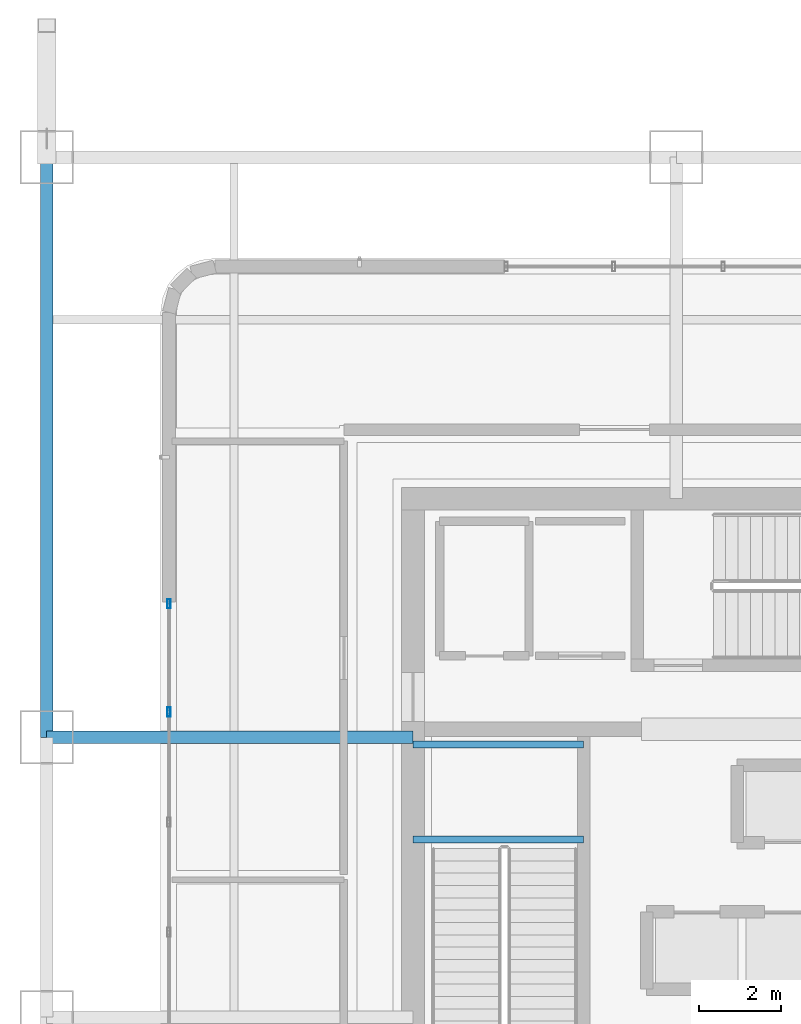
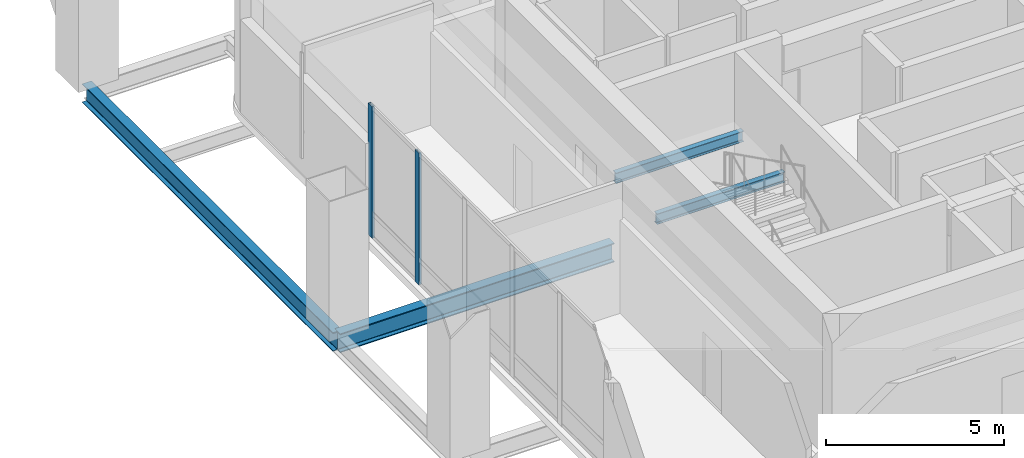
# One storey, part 10 of 33: 4 beams, 2 members, 1 element without a shape of its own.
"""IFC4 building model written with IfcOpenShell, lengths in metres."""

from ifc_helpers import new_model, si_unit, direction, frame, origin, origin_2d, place, context, subcontext, project, spatial, hollow_rectangle, i_section, extrude, material, material_profile, profile_set, type_object, element, aggregate, save


model = new_model("IFC4")

# Units and contexts
model_context = context("Model", 3, precision=1e-05, world=origin(), true_north=direction((0.0, 1.0)))
body_context = subcontext(model_context, "Body", "Model", "MODEL_VIEW")
ifc_project = project(units=[si_unit("LENGTHUNIT", "METRE"), si_unit("AREAUNIT", "SQUARE_METRE"), si_unit("VOLUMEUNIT", "CUBIC_METRE"), si_unit("PLANEANGLEUNIT", "RADIAN"), si_unit("MASSUNIT", "GRAM", prefix="KILO")], contexts=[model_context])

# Site, building, storey
site_placement = place(None, origin())
site = spatial("IfcSite", under=ifc_project, at=site_placement, CompositionType="ELEMENT")
building_placement = place(site_placement, origin())
building = spatial("IfcBuilding", under=site, at=building_placement, Name="Punatoya Terracotta Tower", CompositionType="ELEMENT")
storey_placement = place(building_placement, frame((0.0, 0.0, 246.60009765625)))
storey = spatial("IfcBuildingStorey", under=building, at=storey_placement, Name="L58", CompositionType="ELEMENT", Elevation=246.60009765625)

# Beams
ifc_material_1 = material(Name="Steel S355", Category="steel")
ifc_material_profile_1 = material_profile(ifc_material_1, i_section(OverallWidth=0.300048828125, OverallDepth=0.64990234375, WebThickness=0.01611328125, FlangeThickness=0.031005859375, FilletRadius=0.01806640625, at=origin_2d()))
ifc_profile_set_1 = profile_set([ifc_material_profile_1], Name="Steel S355")
beam_type_1 = type_object("IfcBeamType", Name="BM-PRI-650", PredefinedType="BEAM", material=ifc_profile_set_1)
beam_1_placement = place(storey_placement, frame((-19.10009765625, 3.39990234375, -0.585205078125), z_axis=(0.0, 1.0, 0.0), x_axis=(-1.0, 0.0, 0.0)))
element("IfcBeam", 1, at=beam_1_placement, inside=storey, type_object=beam_type_1, Name="BM-L58-RG-W3", PredefinedType="BEAM", context=body_context, shape_type="SweptSolid", body=[
    extrude(i_section(OverallWidth=0.300048828125, OverallDepth=0.64990234375, WebThickness=0.01611328125, FlangeThickness=0.031005859375, FilletRadius=0.01806640625, at=origin_2d()), origin(), (0.0, 0.0, 1.0), 14.10009765625),
])
beam_2_placement = place(storey_placement, frame((-19.10009765625, 3.39990234375, -0.585205078125), z_axis=(1.0, 0.0, 0.0), x_axis=(0.0, 1.0, 0.0)))
element("IfcBeam", 2, at=beam_2_placement, inside=storey, type_object=beam_type_1, Name="BM-L58-PR-WE", PredefinedType="BEAM", context=body_context, shape_type="SweptSolid", body=[
    extrude(i_section(OverallWidth=0.300048828125, OverallDepth=0.64990234375, WebThickness=0.01611328125, FlangeThickness=0.031005859375, FilletRadius=0.01806640625, at=origin_2d()), origin(), (0.0, 0.0, 1.0), 8.900146484375),
])
ifc_material_profile_2 = material_profile(ifc_material_1, i_section(OverallWidth=0.169921875, OverallDepth=0.360107421875, WebThickness=0.008056640625, FlangeThickness=0.0126953125, FilletRadius=0.01806640625, at=origin_2d()))
ifc_profile_set_2 = profile_set([ifc_material_profile_2], Name="Steel S355")
beam_type_2 = type_object("IfcBeamType", Name="BM-SEC-360", PredefinedType="JOIST", material=ifc_profile_set_2)
for number, where, z_axis, x_axis, name in (
    (3, (-10.199951171875, 0.919921875, 2.02001953125), (1.0, 0.0, 0.0), (0.0, 1.0, 0.0), "BM-L58-ST-1-LD1A"),
    (4, (-10.199951171875, 3.22998046875, 2.02001953125), (1.0, 0.0, 0.0), (0.0, 1.0, 0.0), "BM-L58-ST-1-LD1B"),
):
    element("IfcBeam", number, at=place(storey_placement, frame(where, z_axis=z_axis, x_axis=x_axis)), inside=storey, type_object=beam_type_2, Name=name, PredefinedType="JOIST", context=body_context, shape_type="SweptSolid", body=[
        extrude(i_section(OverallWidth=0.169921875, OverallDepth=0.360107421875, WebThickness=0.008056640625, FlangeThickness=0.0126953125, FilletRadius=0.01806640625, at=origin_2d()), origin(), (0.0, 0.0, 1.0), 4.14990234375),
    ])

# Curtain wall, members
ifc_material_2 = material(Name="Aluminium 6063-T6 + Double Low-E Glass", Category="aluminium")
curtain_wall_type = type_object("IfcCurtainWallType", Name="CW-NCK", PredefinedType="NOTDEFINED", material=ifc_material_2)
curtain_wall_placement = place(storey_placement, origin())
curtain_wall = element("IfcCurtainWall", 5, at=curtain_wall_placement, inside=storey, type_object=curtain_wall_type, Name="L58 Curtain Wall CW-L58-W13-1", PredefinedType="NOTDEFINED")
ifc_material_3 = material(Name="Aluminium 6063-T6", Category="aluminium")
ifc_material_profile_3 = material_profile(ifc_material_3, hollow_rectangle(XDim=0.080078125, YDim=0.22509765625, WallThickness=0.0048828125, at=origin_2d()))
ifc_profile_set_3 = profile_set([ifc_material_profile_3], Name="Aluminium 6063-T6")
member_type = type_object("IfcMemberType", Name="CW-MUL-NCK", PredefinedType="MULLION", material=ifc_profile_set_3)
member_1_placement = place(storey_placement, frame((-16.1298828125, 6.64501953125, 0.0), z_axis=(0.0, 0.0, 1.0), x_axis=(1.0, 0.0, 0.0)))
member_1 = element("IfcMember", 6, at=member_1_placement, type_object=member_type, Name="CW-L58-W13-1 Mullion 00", PredefinedType="MULLION", context=body_context, shape_type="SweptSolid", body=[
    extrude(hollow_rectangle(XDim=0.080078125, YDim=0.22509765625, WallThickness=0.0048828125, at=origin_2d()), origin(), (0.0, 0.0, 1.0), 4.52001953125),
])
member_2_placement = place(storey_placement, frame((-16.1298828125, 4.013916015625, 0.0), z_axis=(0.0, 0.0, 1.0), x_axis=(1.0, 0.0, 0.0)))
member_2 = element("IfcMember", 7, at=member_2_placement, type_object=member_type, Name="CW-L58-W13-1 Mullion 01", PredefinedType="MULLION", context=body_context, shape_type="SweptSolid", body=[
    extrude(hollow_rectangle(XDim=0.080078125, YDim=0.22509765625, WallThickness=0.0048828125, at=origin_2d()), origin(), (0.0, 0.0, 1.0), 4.52001953125),
])
aggregate(curtain_wall, [member_1, member_2])

save(model, "model.ifc")
